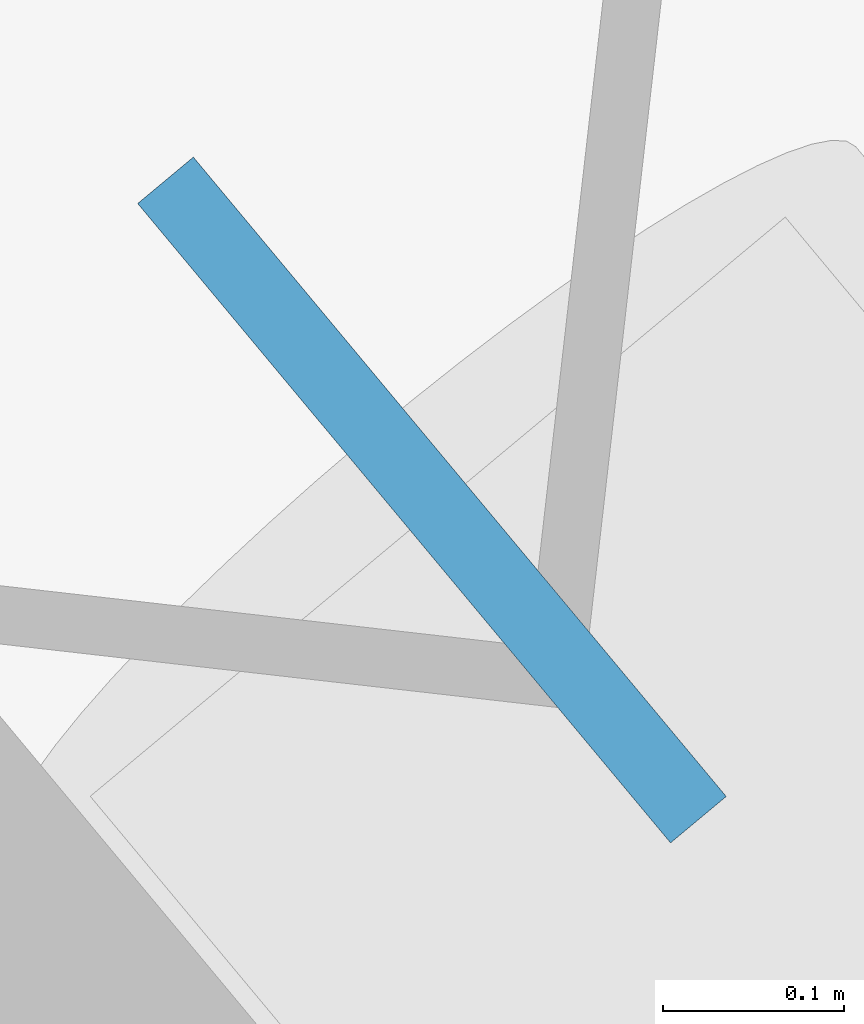
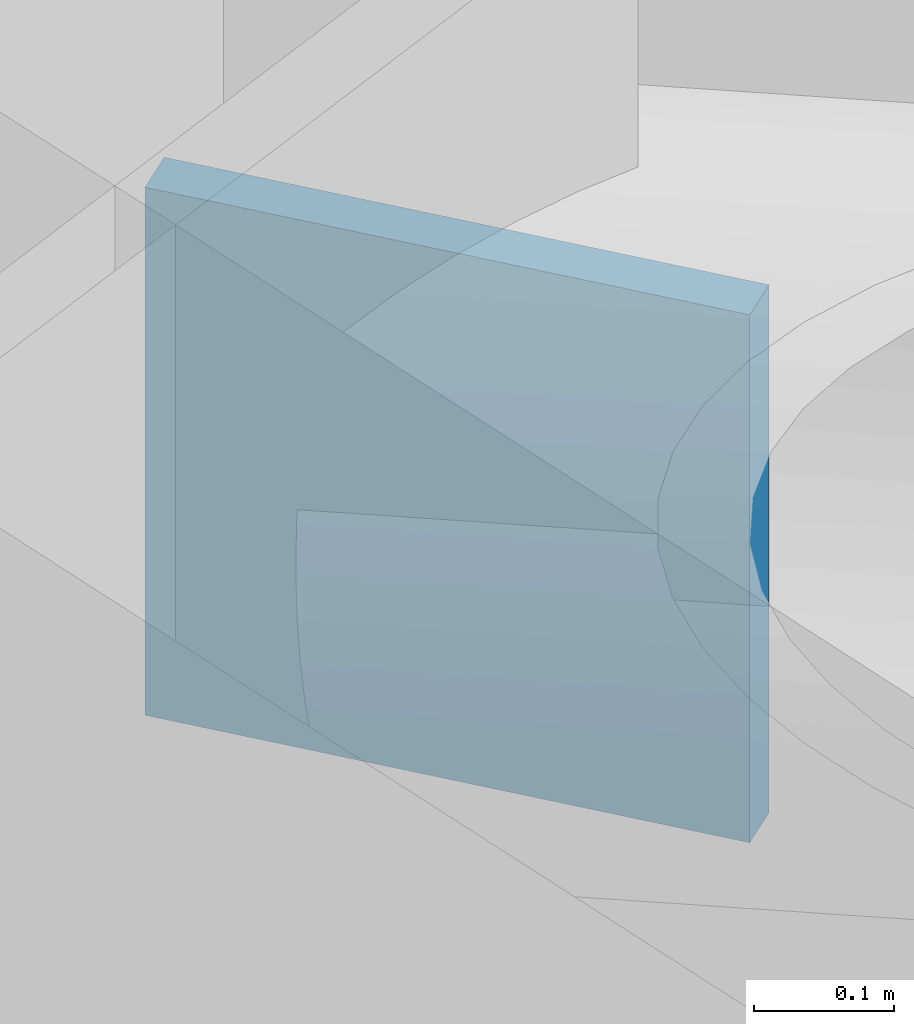
# One storey, part 19 of 21: 1 discrete accessory.
"""IFC4 building model written with IfcOpenShell, lengths in metres."""

from ifc_helpers import new_model, si_unit, direction, frame, origin, origin_2d, place, context, subcontext, project, spatial, rectangle, extrude, material, type_object, element, save


model = new_model("IFC4")

# Units and contexts
model_context = context("Model", 3, precision=1e-05, world=origin(), true_north=direction((0.0, 1.0)))
body_context = subcontext(model_context, "Body", "Model", "MODEL_VIEW")
ifc_project = project(units=[si_unit("LENGTHUNIT", "METRE"), si_unit("AREAUNIT", "SQUARE_METRE"), si_unit("VOLUMEUNIT", "CUBIC_METRE"), si_unit("PLANEANGLEUNIT", "RADIAN"), si_unit("MASSUNIT", "GRAM", prefix="KILO")], contexts=[model_context])

# Site, building, storey
site_placement = place(None, origin())
site = spatial("IfcSite", under=ifc_project, at=site_placement, CompositionType="ELEMENT")
building_placement = place(site_placement, origin())
building = spatial("IfcBuilding", under=site, at=building_placement, Name="Tavrogorsk Clinical Tower", CompositionType="ELEMENT")
storey_placement = place(building_placement, frame((0.0, 0.0, 109.39990234375)))
storey = spatial("IfcBuildingStorey", under=building, at=storey_placement, Name="L24", CompositionType="ELEMENT", Elevation=109.39990234375)

# Discrete accessory
ifc_material = material(Name="Structural steel S440", Category="steel")
discrete_accessory_type = type_object("IfcDiscreteAccessoryType", Name="GussetPlateBracket_25", PredefinedType="BRACKET", material=ifc_material)
discrete_accessory_placement = place(storey_placement, frame((37.22265625, 18.05224609375, 0.12841796875), z_axis=(0.0, 0.0, 1.0), x_axis=(0.640243780506, -0.768171791674, 0.0)))
element("IfcDiscreteAccessory", 1, at=discrete_accessory_placement, inside=storey, type_object=discrete_accessory_type, Name="L24 Brace Gusset Plate EXOCRN-L24-2-A", PredefinedType="BRACKET", context=body_context, shape_type="SweptSolid", body=[
    extrude(rectangle(XDim=0.4599609375, YDim=0.0400390625, at=origin_2d()), origin(), (0.0, 0.0, 1.0), 0.4599609375),
])

save(model, "model.ifc")
